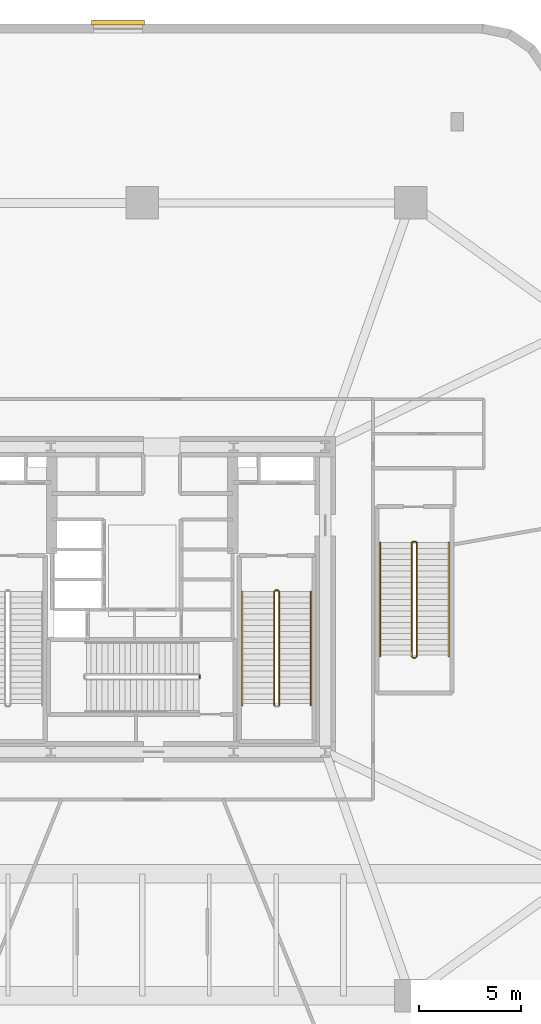
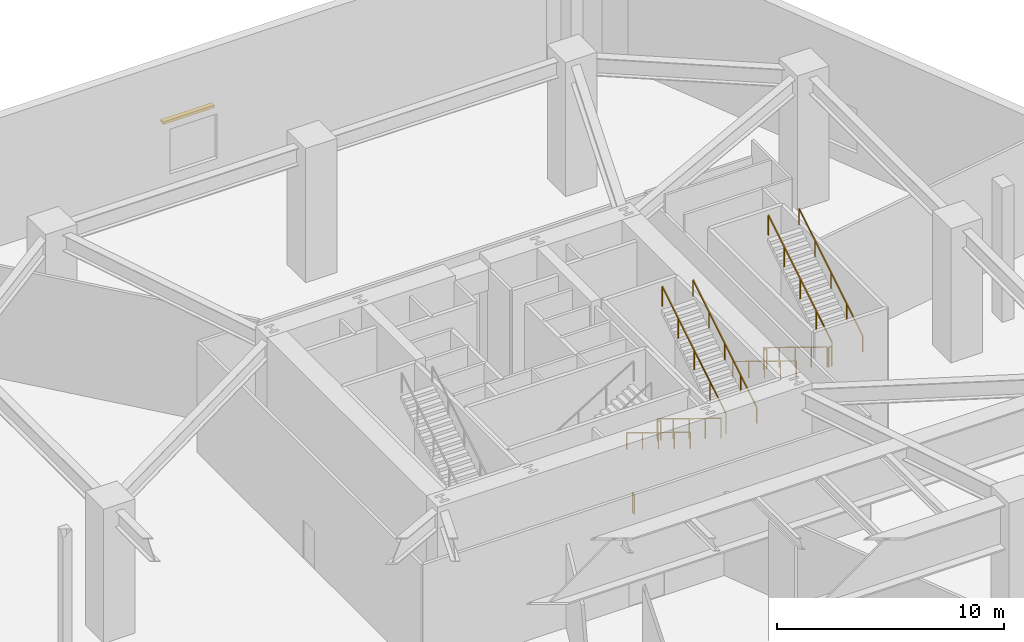
# One storey, part 16 of 17: 12 railings, 1 shading device.
"""IFC4 building model written with IfcOpenShell, lengths in metres."""

from ifc_helpers import new_model, si_unit, direction, frame, origin, origin_2d, place, context, subcontext, project, spatial, rectangle, extrude, material, layer, layer_set, type_object, element, save


model = new_model("IFC4")

# Units and contexts
model_context = context("Model", 3, precision=1e-05, world=origin(), true_north=direction((0.0, 1.0)))
body_context = subcontext(model_context, "Body", "Model", "MODEL_VIEW")
ifc_project = project(units=[si_unit("LENGTHUNIT", "METRE"), si_unit("AREAUNIT", "SQUARE_METRE"), si_unit("VOLUMEUNIT", "CUBIC_METRE"), si_unit("PLANEANGLEUNIT", "RADIAN"), si_unit("MASSUNIT", "GRAM", prefix="KILO")], contexts=[model_context])

# Site, building, storey
site_placement = place(None, origin())
site = spatial("IfcSite", under=ifc_project, at=site_placement, CompositionType="ELEMENT")
building_placement = place(site_placement, origin())
building = spatial("IfcBuilding", under=site, at=building_placement, Name="Kilnhurst Terrace Hotel", CompositionType="ELEMENT")
storey_placement = place(building_placement, frame((0.0, 0.0, 11.39990234375)))
storey = spatial("IfcBuildingStorey", under=building, at=storey_placement, Name="L02", CompositionType="ELEMENT", Elevation=11.39990234375)

# Railings
ifc_material_1 = material(Name="Powder-Coated Steel ASTM A500 Grade B", Category="steel")
ifc_layer_1 = layer(ifc_material_1, 0.050048828125, Name="Powder-Coated Steel ASTM A500 Grade B")
ifc_layer_set_1 = layer_set([ifc_layer_1], Name="Powder-Coated Steel ASTM A500 Grade B")
railing_type_1 = type_object("IfcRailingType", Name="RLG-ST-GRD-1100", PredefinedType="GUARDRAIL", material=ifc_layer_set_1)
railing_1_placement = place(storey_placement, frame((6.489990234375, 0.389892578125, 0.171630859375)))
element("IfcRailing", 1, at=railing_1_placement, inside=storey, type_object=railing_type_1, Name="L02 ST-2 stair guard 1", PredefinedType="GUARDRAIL", context=body_context, shape_type="SweptSolid", body=[
    extrude(rectangle(XDim=0.048095703125, YDim=0.048095703125, at=origin_2d()), frame((0.0, 0.0, 1.076171875), z_axis=(0.0, -0.852852317832, 0.522152203833), x_axis=(1.0, 0.0, 0.0)), (0.0, 0.0, 1.0), 6.56591796875),
    extrude(rectangle(XDim=0.0419921875, YDim=0.0419921875, at=origin_2d()), origin(), (0.0, 0.0, 1.0), 1.052001953125),
    extrude(rectangle(XDim=0.0419921875, YDim=0.0419921875, at=origin_2d()), frame((0.0, -1.39990234375, 0.857177734375)), (0.0, 0.0, 1.0), 1.052001953125),
    extrude(rectangle(XDim=0.0419921875, YDim=0.0419921875, at=origin_2d()), frame((0.0, -2.7998046875, 1.71435546875)), (0.0, 0.0, 1.0), 1.052001953125),
    extrude(rectangle(XDim=0.0419921875, YDim=0.0419921875, at=origin_2d()), frame((0.0, -4.199951171875, 2.5712890625)), (0.0, 0.0, 1.0), 1.052001953125),
    extrude(rectangle(XDim=0.0419921875, YDim=0.0419921875, at=origin_2d()), frame((0.0, -5.599853515625, 3.428466796875)), (0.0, 0.0, 1.0), 1.052001953125),
])
railing_2_placement = place(storey_placement, frame((6.739990234375, -5.2099609375, 3.771484375)))
element("IfcRailing", 2, at=railing_2_placement, inside=storey, type_object=railing_type_1, Name="L02 ST-2 stair guard 3", PredefinedType="GUARDRAIL", context=body_context, shape_type="SweptSolid", body=[
    extrude(rectangle(XDim=0.048095703125, YDim=0.048095703125, at=origin_2d()), frame((0.0, 0.0, 1.076171875), z_axis=(0.0, 0.852835759714, 0.522179247915), x_axis=(-1.0, 0.0, 0.0)), (0.0, 0.0, 1.0), 6.566162109375),
    extrude(rectangle(XDim=0.0419921875, YDim=0.0419921875, at=origin_2d()), origin(), (0.0, 0.0, 1.0), 1.052001953125),
    extrude(rectangle(XDim=0.0419921875, YDim=0.0419921875, at=origin_2d()), frame((0.0, 1.39990234375, 0.857177734375)), (0.0, 0.0, 1.0), 1.052001953125),
    extrude(rectangle(XDim=0.0419921875, YDim=0.0419921875, at=origin_2d()), frame((0.0, 2.7998046875, 1.71435546875)), (0.0, 0.0, 1.0), 1.052001953125),
    extrude(rectangle(XDim=0.0419921875, YDim=0.0419921875, at=origin_2d()), frame((0.0, 4.199951171875, 2.571533203125)), (0.0, 0.0, 1.0), 1.052001953125),
    extrude(rectangle(XDim=0.0419921875, YDim=0.0419921875, at=origin_2d()), frame((0.0, 5.599853515625, 3.4287109375)), (0.0, 0.0, 1.0), 1.052001953125),
])
railing_3_placement = place(storey_placement, frame((6.5400390625, 0.43994140625, 0.0)))
element("IfcRailing", 3, at=railing_3_placement, inside=storey, type_object=railing_type_1, Name="L02 ST-2 stair guard 4", PredefinedType="GUARDRAIL", context=body_context, shape_type="SweptSolid", body=[
    extrude(rectangle(XDim=0.048095703125, YDim=0.048095703125, at=origin_2d()), frame((0.0, 0.0, 1.076171875), z_axis=(1.0, 0.0, 0.0), x_axis=(0.0, 1.0, 0.0)), (0.0, 0.0, 1.0), 0.14990234375),
    extrude(rectangle(XDim=0.0419921875, YDim=0.0419921875, at=origin_2d()), origin(), (0.0, 0.0, 1.0), 1.052001953125),
    extrude(rectangle(XDim=0.0419921875, YDim=0.0419921875, at=origin_2d()), frame((0.14990234375, 0.0, 0.0)), (0.0, 0.0, 1.0), 1.052001953125),
])
railing_4_placement = place(storey_placement, frame((2.840087890625, -3.739990234375, 0.0)))
element("IfcRailing", 4, at=railing_4_placement, inside=storey, type_object=railing_type_1, Name="L02 ST-3 stair guard 4", PredefinedType="GUARDRAIL", context=body_context, shape_type="SweptSolid", body=[
    extrude(rectangle(XDim=0.048095703125, YDim=0.048095703125, at=origin_2d()), frame((0.0, 0.0, 1.076171875), z_axis=(0.0, -1.0, 0.0), x_axis=(1.0, 0.0, 0.0)), (0.0, 0.0, 1.0), 0.14990234375),
    extrude(rectangle(XDim=0.0419921875, YDim=0.0419921875, at=origin_2d()), origin(), (0.0, 0.0, 1.0), 1.052001953125),
    extrude(rectangle(XDim=0.0419921875, YDim=0.0419921875, at=origin_2d()), frame((0.0, -0.14990234375, 0.0)), (0.0, 0.0, 1.0), 1.052001953125),
])
railing_5_placement = place(storey_placement, frame((13.260009765625, 2.7900390625, 0.171630859375)))
element("IfcRailing", 5, at=railing_5_placement, inside=storey, type_object=railing_type_1, Name="L02 ST-4 stair guard 1", PredefinedType="GUARDRAIL", context=body_context, shape_type="SweptSolid", body=[
    extrude(rectangle(XDim=0.048095703125, YDim=0.048095703125, at=origin_2d()), frame((0.0, 0.0, 1.076171875), z_axis=(0.0, -0.852862454864, 0.522135646249), x_axis=(1.0, 0.0, 0.0)), (0.0, 0.0, 1.0), 6.566162109375),
    extrude(rectangle(XDim=0.0419921875, YDim=0.0419921875, at=origin_2d()), origin(), (0.0, 0.0, 1.0), 1.052001953125),
    extrude(rectangle(XDim=0.0419921875, YDim=0.0419921875, at=origin_2d()), frame((0.0, -1.39990234375, 0.857177734375)), (0.0, 0.0, 1.0), 1.052001953125),
    extrude(rectangle(XDim=0.0419921875, YDim=0.0419921875, at=origin_2d()), frame((0.0, -2.800048828125, 1.71435546875)), (0.0, 0.0, 1.0), 1.052001953125),
    extrude(rectangle(XDim=0.0419921875, YDim=0.0419921875, at=origin_2d()), frame((0.0, -4.2001953125, 2.5712890625)), (0.0, 0.0, 1.0), 1.052001953125),
    extrude(rectangle(XDim=0.0419921875, YDim=0.0419921875, at=origin_2d()), frame((0.0, -5.60009765625, 3.428466796875)), (0.0, 0.0, 1.0), 1.052001953125),
])
railing_6_placement = place(storey_placement, frame((13.31005859375, -2.860107421875, 3.60009765625)))
element("IfcRailing", 6, at=railing_6_placement, inside=storey, type_object=railing_type_1, Name="L02 ST-4 stair guard 2", PredefinedType="GUARDRAIL", context=body_context, shape_type="SweptSolid", body=[
    extrude(rectangle(XDim=0.048095703125, YDim=0.048095703125, at=origin_2d()), frame((0.0, 0.0, 1.076171875), z_axis=(1.0, 0.0, 0.0), x_axis=(0.0, 1.0, 0.0)), (0.0, 0.0, 1.0), 0.14990234375),
    extrude(rectangle(XDim=0.0419921875, YDim=0.0419921875, at=origin_2d()), origin(), (0.0, 0.0, 1.0), 1.052001953125),
    extrude(rectangle(XDim=0.0419921875, YDim=0.0419921875, at=origin_2d()), frame((0.14990234375, 0.0, 0.0)), (0.0, 0.0, 1.0), 1.052001953125),
])
railing_7_placement = place(storey_placement, frame((13.510009765625, -2.81005859375, 3.771484375)))
element("IfcRailing", 7, at=railing_7_placement, inside=storey, type_object=railing_type_1, Name="L02 ST-4 stair guard 3", PredefinedType="GUARDRAIL", context=body_context, shape_type="SweptSolid", body=[
    extrude(rectangle(XDim=0.048095703125, YDim=0.048095703125, at=origin_2d()), frame((0.0, 0.0, 1.076171875), z_axis=(0.0, 0.852845897599, 0.522162690116), x_axis=(-1.0, 0.0, 0.0)), (0.0, 0.0, 1.0), 6.56640625),
    extrude(rectangle(XDim=0.0419921875, YDim=0.0419921875, at=origin_2d()), origin(), (0.0, 0.0, 1.0), 1.052001953125),
    extrude(rectangle(XDim=0.0419921875, YDim=0.0419921875, at=origin_2d()), frame((0.0, 1.39990234375, 0.857177734375)), (0.0, 0.0, 1.0), 1.052001953125),
    extrude(rectangle(XDim=0.0419921875, YDim=0.0419921875, at=origin_2d()), frame((0.0, 2.800048828125, 1.71435546875)), (0.0, 0.0, 1.0), 1.052001953125),
    extrude(rectangle(XDim=0.0419921875, YDim=0.0419921875, at=origin_2d()), frame((0.0, 4.2001953125, 2.571533203125)), (0.0, 0.0, 1.0), 1.052001953125),
    extrude(rectangle(XDim=0.0419921875, YDim=0.0419921875, at=origin_2d()), frame((0.0, 5.60009765625, 3.4287109375)), (0.0, 0.0, 1.0), 1.052001953125),
])
railing_8_placement = place(storey_placement, frame((13.31005859375, 2.840087890625, 0.0)))
element("IfcRailing", 8, at=railing_8_placement, inside=storey, type_object=railing_type_1, Name="L02 ST-4 stair guard 4", PredefinedType="GUARDRAIL", context=body_context, shape_type="SweptSolid", body=[
    extrude(rectangle(XDim=0.048095703125, YDim=0.048095703125, at=origin_2d()), frame((0.0, 0.0, 1.076171875), z_axis=(1.0, 0.0, 0.0), x_axis=(0.0, 1.0, 0.0)), (0.0, 0.0, 1.0), 0.14990234375),
    extrude(rectangle(XDim=0.0419921875, YDim=0.0419921875, at=origin_2d()), origin(), (0.0, 0.0, 1.0), 1.052001953125),
    extrude(rectangle(XDim=0.0419921875, YDim=0.0419921875, at=origin_2d()), frame((0.14990234375, 0.0, 0.0)), (0.0, 0.0, 1.0), 1.052001953125),
])
ifc_material_2 = material(Name="Brushed Stainless Steel AISI 304", Category="steel")
ifc_layer_2 = layer(ifc_material_2, 0.048095703125, Name="Brushed Stainless Steel AISI 304")
ifc_layer_set_2 = layer_set([ifc_layer_2], Name="Brushed Stainless Steel AISI 304")
railing_type_2 = type_object("IfcRailingType", Name="RLG-ST-HRL-900", PredefinedType="HANDRAIL", material=ifc_layer_set_2)
railing_9_placement = place(storey_placement, frame((4.929931640625, 0.389892578125, 0.171630859375)))
element("IfcRailing", 9, at=railing_9_placement, inside=storey, type_object=railing_type_2, Name="L02 ST-2 stair handrail 1", PredefinedType="HANDRAIL", context=body_context, shape_type="SweptSolid", body=[
    extrude(rectangle(XDim=0.048095703125, YDim=0.048095703125, at=origin_2d()), frame((0.0, 0.0, 0.8759765625), z_axis=(0.0, -0.852852317832, 0.522152203833), x_axis=(1.0, 0.0, 0.0)), (0.0, 0.0, 1.0), 6.56591796875),
    extrude(rectangle(XDim=0.0419921875, YDim=0.0419921875, at=origin_2d()), origin(), (0.0, 0.0, 1.0), 0.851806640625),
    extrude(rectangle(XDim=0.0419921875, YDim=0.0419921875, at=origin_2d()), frame((0.0, -1.39990234375, 0.857177734375)), (0.0, 0.0, 1.0), 0.851806640625),
    extrude(rectangle(XDim=0.0419921875, YDim=0.0419921875, at=origin_2d()), frame((0.0, -2.7998046875, 1.71435546875)), (0.0, 0.0, 1.0), 0.851806640625),
    extrude(rectangle(XDim=0.0419921875, YDim=0.0419921875, at=origin_2d()), frame((0.0, -4.199951171875, 2.5712890625)), (0.0, 0.0, 1.0), 0.851806640625),
    extrude(rectangle(XDim=0.0419921875, YDim=0.0419921875, at=origin_2d()), frame((0.0, -5.599853515625, 3.428466796875)), (0.0, 0.0, 1.0), 0.851806640625),
])
railing_10_placement = place(storey_placement, frame((8.300048828125, -5.2099609375, 3.771484375)))
element("IfcRailing", 10, at=railing_10_placement, inside=storey, type_object=railing_type_2, Name="L02 ST-2 stair handrail 2", PredefinedType="HANDRAIL", context=body_context, shape_type="SweptSolid", body=[
    extrude(rectangle(XDim=0.048095703125, YDim=0.048095703125, at=origin_2d()), frame((0.0, 0.0, 0.8759765625), z_axis=(0.0, 0.852835759714, 0.522179247915), x_axis=(-1.0, 0.0, 0.0)), (0.0, 0.0, 1.0), 6.566162109375),
    extrude(rectangle(XDim=0.0419921875, YDim=0.0419921875, at=origin_2d()), origin(), (0.0, 0.0, 1.0), 0.851806640625),
    extrude(rectangle(XDim=0.0419921875, YDim=0.0419921875, at=origin_2d()), frame((0.0, 1.39990234375, 0.857177734375)), (0.0, 0.0, 1.0), 0.851806640625),
    extrude(rectangle(XDim=0.0419921875, YDim=0.0419921875, at=origin_2d()), frame((0.0, 2.7998046875, 1.71435546875)), (0.0, 0.0, 1.0), 0.851806640625),
    extrude(rectangle(XDim=0.0419921875, YDim=0.0419921875, at=origin_2d()), frame((0.0, 4.199951171875, 2.571533203125)), (0.0, 0.0, 1.0), 0.851806640625),
    extrude(rectangle(XDim=0.0419921875, YDim=0.0419921875, at=origin_2d()), frame((0.0, 5.599853515625, 3.4287109375)), (0.0, 0.0, 1.0), 0.851806640625),
])
railing_11_placement = place(storey_placement, frame((11.699951171875, 2.7900390625, 0.171630859375)))
element("IfcRailing", 11, at=railing_11_placement, inside=storey, type_object=railing_type_2, Name="L02 ST-4 stair handrail 1", PredefinedType="HANDRAIL", context=body_context, shape_type="SweptSolid", body=[
    extrude(rectangle(XDim=0.048095703125, YDim=0.048095703125, at=origin_2d()), frame((0.0, 0.0, 0.8759765625), z_axis=(0.0, -0.852862454864, 0.522135646249), x_axis=(1.0, 0.0, 0.0)), (0.0, 0.0, 1.0), 6.566162109375),
    extrude(rectangle(XDim=0.0419921875, YDim=0.0419921875, at=origin_2d()), origin(), (0.0, 0.0, 1.0), 0.851806640625),
    extrude(rectangle(XDim=0.0419921875, YDim=0.0419921875, at=origin_2d()), frame((0.0, -1.39990234375, 0.857177734375)), (0.0, 0.0, 1.0), 0.851806640625),
    extrude(rectangle(XDim=0.0419921875, YDim=0.0419921875, at=origin_2d()), frame((0.0, -2.800048828125, 1.71435546875)), (0.0, 0.0, 1.0), 0.851806640625),
    extrude(rectangle(XDim=0.0419921875, YDim=0.0419921875, at=origin_2d()), frame((0.0, -4.2001953125, 2.5712890625)), (0.0, 0.0, 1.0), 0.851806640625),
    extrude(rectangle(XDim=0.0419921875, YDim=0.0419921875, at=origin_2d()), frame((0.0, -5.60009765625, 3.428466796875)), (0.0, 0.0, 1.0), 0.851806640625),
])
railing_12_placement = place(storey_placement, frame((15.070068359375, -2.81005859375, 3.771484375)))
element("IfcRailing", 12, at=railing_12_placement, inside=storey, type_object=railing_type_2, Name="L02 ST-4 stair handrail 2", PredefinedType="HANDRAIL", context=body_context, shape_type="SweptSolid", body=[
    extrude(rectangle(XDim=0.048095703125, YDim=0.048095703125, at=origin_2d()), frame((0.0, 0.0, 0.8759765625), z_axis=(0.0, 0.852845897599, 0.522162690116), x_axis=(-1.0, 0.0, 0.0)), (0.0, 0.0, 1.0), 6.56640625),
    extrude(rectangle(XDim=0.0419921875, YDim=0.0419921875, at=origin_2d()), origin(), (0.0, 0.0, 1.0), 0.851806640625),
    extrude(rectangle(XDim=0.0419921875, YDim=0.0419921875, at=origin_2d()), frame((0.0, 1.39990234375, 0.857177734375)), (0.0, 0.0, 1.0), 0.851806640625),
    extrude(rectangle(XDim=0.0419921875, YDim=0.0419921875, at=origin_2d()), frame((0.0, 2.800048828125, 1.71435546875)), (0.0, 0.0, 1.0), 0.851806640625),
    extrude(rectangle(XDim=0.0419921875, YDim=0.0419921875, at=origin_2d()), frame((0.0, 4.2001953125, 2.571533203125)), (0.0, 0.0, 1.0), 0.851806640625),
    extrude(rectangle(XDim=0.0419921875, YDim=0.0419921875, at=origin_2d()), frame((0.0, 5.60009765625, 3.4287109375)), (0.0, 0.0, 1.0), 0.851806640625),
])

# Shading device
ifc_material_3 = material(Name="Terracotta Baguette Sunshade on Aluminium Alloy 6063-T6", Category="masonry")
ifc_layer_3 = layer(ifc_material_3, 0.199951171875, Name="Terracotta Baguette Sunshade on Aluminium Alloy 6063-T6")
ifc_layer_set_3 = layer_set([ifc_layer_3], Name="Terracotta Baguette Sunshade on Aluminium Alloy 6063-T6")
shading_device_type = type_object("IfcShadingDeviceType", Name="SHD-SUN-200", PredefinedType="JALOUSIE", material=ifc_layer_set_3)
shading_device_placement = place(storey_placement, frame((-1.1953125, 28.3798828125, 3.2802734375), z_axis=(0.0, 0.0, 1.0), x_axis=(-1.0, 0.0, 0.0)))
element("IfcShadingDevice", 13, at=shading_device_placement, inside=storey, type_object=shading_device_type, Name="L02 Terracotta Window Sunshade F4.1", PredefinedType="JALOUSIE", context=body_context, shape_type="SweptSolid", body=[
    extrude(rectangle(XDim=2.60009765625, YDim=0.239990234375, at=origin_2d()), origin(), (0.0, 0.0, 1.0), 0.139892578125),
])

save(model, "model.ifc")
